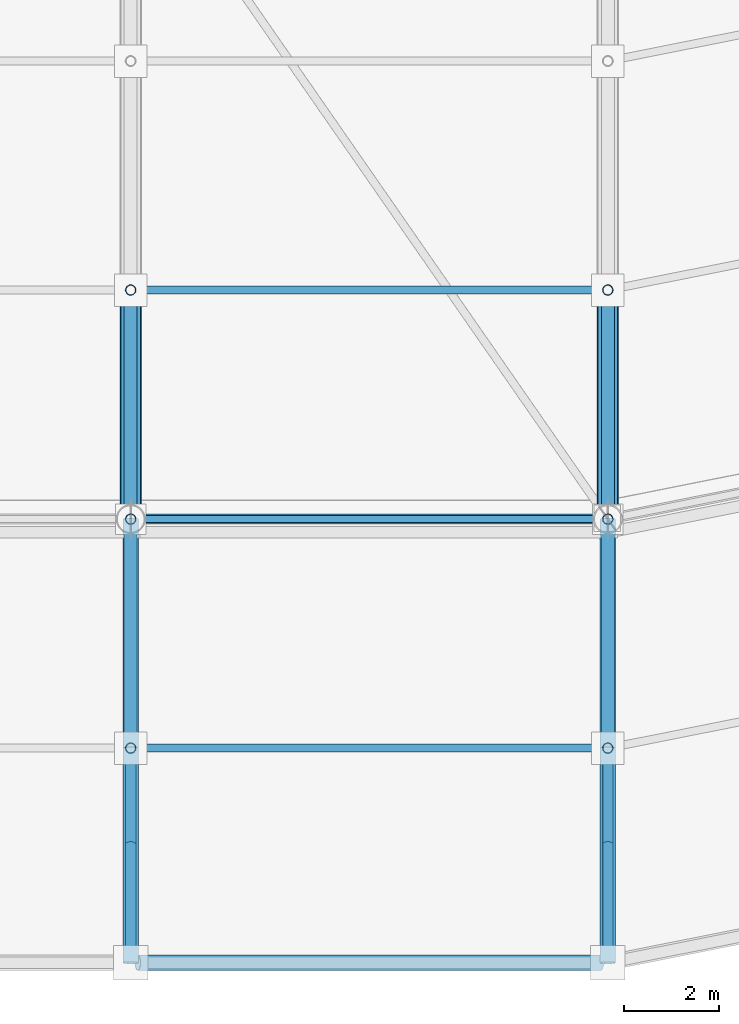
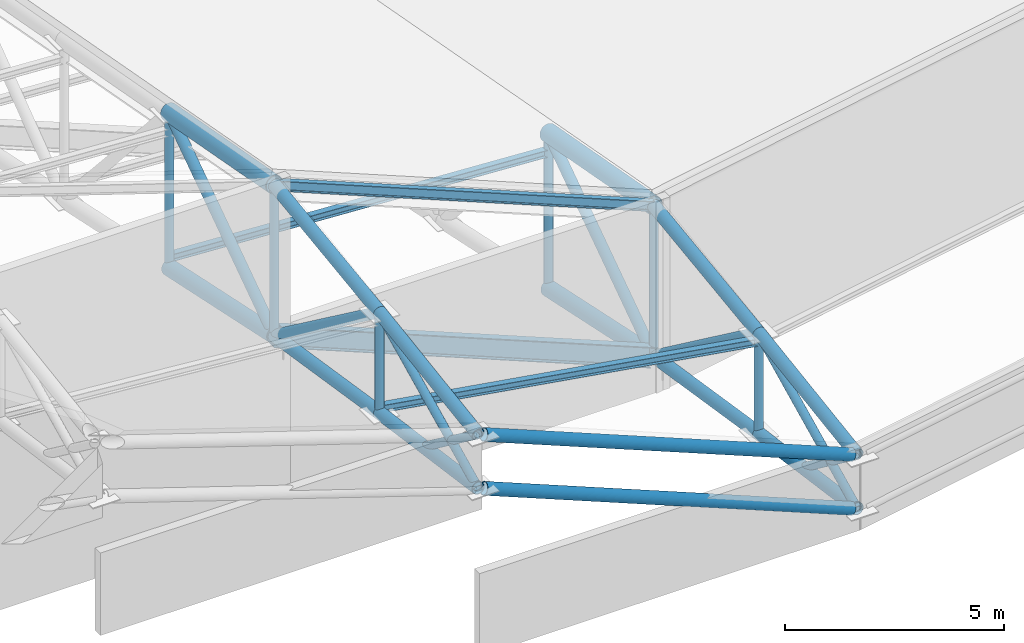
# One storey, part 59 of 146: 30 members, 2 beams.
"""IFC4 building model written with IfcOpenShell, lengths in metres."""

from ifc_helpers import new_model, si_unit, direction, frame, origin, origin_2d, place, context, subcontext, project, spatial, hollow_circle, i_section, extrude, material, material_profile, profile_set, type_object, element, save


model = new_model("IFC4")

# Units and contexts
model_context = context("Model", 3, precision=1e-05, world=origin(), true_north=direction((0.0, 1.0)))
body_context = subcontext(model_context, "Body", "Model", "MODEL_VIEW")
ifc_project = project(units=[si_unit("LENGTHUNIT", "METRE"), si_unit("AREAUNIT", "SQUARE_METRE"), si_unit("VOLUMEUNIT", "CUBIC_METRE"), si_unit("PLANEANGLEUNIT", "RADIAN"), si_unit("MASSUNIT", "GRAM", prefix="KILO")], contexts=[model_context])

# Site, building, storey
site_placement = place(None, origin())
site = spatial("IfcSite", under=ifc_project, at=site_placement, CompositionType="ELEMENT")
building_placement = place(site_placement, origin())
building = spatial("IfcBuilding", under=site, at=building_placement, Name="Candeia Ridge Stadium", CompositionType="ELEMENT")
storey_placement = place(building_placement, frame((0.0, 0.0, 31.800048828125)))
storey = spatial("IfcBuildingStorey", under=building, at=storey_placement, Name="RF", CompositionType="ELEMENT", Elevation=31.800048828125)

# Beams
ifc_material = material(Name="Steel ASTM A572 Grade 50", Category="steel")
ifc_material_profile_1 = material_profile(ifc_material, i_section(OverallWidth=0.14794921875, OverallDepth=0.26611328125, WebThickness=0.007568359375, FlangeThickness=0.012939453125, FilletRadius=0.010986328125, at=origin_2d()), Name="W250x44.8", Category="steel")
ifc_profile_set_1 = profile_set([ifc_material_profile_1], Name="Steel ASTM A572 Grade 50")
beam_type_1 = type_object("IfcBeamType", Name="Canopy Edge Spandrel W250x44.8", PredefinedType="SPANDREL", material=ifc_profile_set_1)
beam_1_placement = place(storey_placement, frame((131.037109375, 19.0, 8.663330078125), z_axis=(0.925945510704, 0.0, -0.377657134457), x_axis=(0.0, 1.0, 0.0)))
element("IfcBeam", 1, at=beam_1_placement, inside=storey, type_object=beam_type_1, Name="Roof crown cap ring beam bay 25", PredefinedType="SPANDREL", context=body_context, shape_type="SweptSolid", body=[
    extrude(i_section(OverallWidth=0.14794921875, OverallDepth=0.26611328125, WebThickness=0.007568359375, FlangeThickness=0.012939453125, FilletRadius=0.010986328125, at=origin_2d()), origin(), (0.0, 0.0, 1.0), 10.7197265625),
])
ifc_material_profile_2 = material_profile(ifc_material, i_section(OverallWidth=0.2119140625, OverallDepth=0.5439453125, WebThickness=0.01318359375, FlangeThickness=0.021240234375, FilletRadius=0.013916015625, at=origin_2d()), Name="W530x123", Category="steel")
ifc_profile_set_2 = profile_set([ifc_material_profile_2], Name="Steel ASTM A572 Grade 50")
beam_type_2 = type_object("IfcBeamType", Name="Roof Perimeter Ring Beam W530x123", PredefinedType="BEAM", material=ifc_profile_set_2)
beam_2_placement = place(storey_placement, frame((131.037109375, 19.0, 4.46337890625), z_axis=(0.925945510704, 0.0, -0.377657134457), x_axis=(0.0, 1.0, 0.0)))
element("IfcBeam", 2, at=beam_2_placement, inside=storey, type_object=beam_type_2, Name="Roof perimeter ring beam bay 25", PredefinedType="BEAM", context=body_context, shape_type="SweptSolid", body=[
    extrude(i_section(OverallWidth=0.2119140625, OverallDepth=0.5439453125, WebThickness=0.01318359375, FlangeThickness=0.021240234375, FilletRadius=0.013916015625, at=origin_2d()), origin(), (0.0, 0.0, 1.0), 10.7197265625),
])

# Members
ifc_material_profile_3 = material_profile(ifc_material, i_section(OverallWidth=0.1650390625, OverallDepth=0.200927734375, WebThickness=0.006103515625, FlangeThickness=0.01025390625, FilletRadius=0.010009765625, at=origin_2d()), Name="W200x35.9", Category="steel")
ifc_profile_set_3 = profile_set([ifc_material_profile_3], Name="Steel ASTM A572 Grade 50")
member_type_1 = type_object("IfcMemberType", Name="Roof Purlin W200x35.9", PredefinedType="PURLIN", material=ifc_profile_set_3)
member_1_placement = place(storey_placement, frame((131.0498046875, 23.800048828125, 3.749267578125), z_axis=(0.998435557369, 0.0, -0.055914557871), x_axis=(0.0, 1.0, 0.0)))
element("IfcMember", 3, at=member_1_placement, inside=storey, type_object=member_type_1, Name="Saddle roof steel purlin bay 25-4", PredefinedType="PURLIN", context=body_context, shape_type="SweptSolid", body=[
    extrude(i_section(OverallWidth=0.1650390625, OverallDepth=0.200927734375, WebThickness=0.006103515625, FlangeThickness=0.01025390625, FilletRadius=0.010009765625, at=origin_2d()), origin(), (0.0, 0.0, 1.0), 9.916015625),
])
member_2_placement = place(storey_placement, frame((131.04931640625, 14.199951171875, 5.3623046875), z_axis=(0.986942119653, 0.0, -0.161075300572), x_axis=(0.0, 1.0, 0.0)))
element("IfcMember", 4, at=member_2_placement, inside=storey, type_object=member_type_1, Name="Saddle roof steel purlin bay 25-5", PredefinedType="PURLIN", context=body_context, shape_type="SweptSolid", body=[
    extrude(i_section(OverallWidth=0.1650390625, OverallDepth=0.200927734375, WebThickness=0.006103515625, FlangeThickness=0.01025390625, FilletRadius=0.010009765625, at=origin_2d()), origin(), (0.0, 0.0, 1.0), 10.032470703125),
])
ifc_material_profile_4 = material_profile(ifc_material, hollow_circle(Radius=0.161865234375, WallThickness=0.012451171875, at=origin_2d()), Name="CHS323x12", Category="steel")
ifc_profile_set_4 = profile_set([ifc_material_profile_4], Name="Steel ASTM A572 Grade 50")
member_type_2 = type_object("IfcMemberType", Name="Roof Truss Eaves Chord CHS323x12", PredefinedType="CHORD", material=ifc_profile_set_4)
member_3_placement = place(storey_placement, frame((131.0, 19.0, 8.678466796875), z_axis=(0.0, -0.991184698971, -0.132487329683), x_axis=(1.0, 0.0, 0.0)))
element("IfcMember", 5, at=member_3_placement, inside=storey, type_object=member_type_2, Name="Roof cantilever truss RT-25 top chord 7", PredefinedType="CHORD", context=body_context, shape_type="SweptSolid", body=[
    extrude(hollow_circle(Radius=0.161865234375, WallThickness=0.012451171875, at=origin_2d()), origin(), (0.0, 0.0, 1.0), 4.8427734375),
])
member_4_placement = place(storey_placement, frame((131.0, 19.0, 4.478515625), z_axis=(0.0, -0.987950881294, 0.154767749066), x_axis=(1.0, 0.0, 0.0)))
element("IfcMember", 6, at=member_4_placement, inside=storey, type_object=member_type_2, Name="Roof cantilever truss RT-25 bottom chord 7", PredefinedType="CHORD", context=body_context, shape_type="SweptSolid", body=[
    extrude(hollow_circle(Radius=0.161865234375, WallThickness=0.012451171875, at=origin_2d()), origin(), (0.0, 0.0, 1.0), 4.858642578125),
])
member_5_placement = place(storey_placement, frame((131.0, 14.199951171875, 8.036865234375), z_axis=(0.0, -0.988855931513, -0.148875608179), x_axis=(1.0, 0.0, 0.0)))
element("IfcMember", 7, at=member_5_placement, inside=storey, type_object=member_type_2, Name="Roof cantilever truss RT-25 top chord 8", PredefinedType="CHORD", context=body_context, shape_type="SweptSolid", body=[
    extrude(hollow_circle(Radius=0.161865234375, WallThickness=0.012451171875, at=origin_2d()), origin(), (0.0, 0.0, 1.0), 4.55078125),
])
member_6_placement = place(storey_placement, frame((131.0, 14.199951171875, 5.23046875), z_axis=(0.0, -0.990374770959, 0.138411751844), x_axis=(1.0, 0.0, 0.0)))
element("IfcMember", 8, at=member_6_placement, inside=storey, type_object=member_type_2, Name="Roof cantilever truss RT-25 bottom chord 8", PredefinedType="CHORD", context=body_context, shape_type="SweptSolid", body=[
    extrude(hollow_circle(Radius=0.161865234375, WallThickness=0.012451171875, at=origin_2d()), origin(), (0.0, 0.0, 1.0), 4.543701171875),
])
for number, where, z_axis, x_axis, name in (
    (9, (131.148193359375, 9.699951171875, 7.299072265625), (0.925944259539, 0.0, -0.377660202068), (0.0, 1.0, 0.0), "Saddle roof outer eaves top ring chord bay 25"),
    (10, (131.148193359375, 9.699951171875, 5.799072265625), (0.925944259539, 0.0, -0.377660202068), (0.0, 1.0, 0.0), "Saddle roof outer eaves bottom ring chord bay 25"),
):
    element("IfcMember", number, at=place(storey_placement, frame(where, z_axis=z_axis, x_axis=x_axis)), inside=storey, type_object=member_type_2, Name=name, PredefinedType="CHORD", context=body_context, shape_type="SweptSolid", body=[
        extrude(hollow_circle(Radius=0.161865234375, WallThickness=0.012451171875, at=origin_2d()), origin(), (0.0, 0.0, 1.0), 10.479736328125),
    ])
member_7_placement = place(storey_placement, frame((141.0, 19.0, 4.599853515625), z_axis=(0.0, -0.991184698971, -0.132487329683), x_axis=(1.0, 0.0, 0.0)))
element("IfcMember", 11, at=member_7_placement, inside=storey, type_object=member_type_2, Name="Roof cantilever truss RT-26 top chord 7", PredefinedType="CHORD", context=body_context, shape_type="SweptSolid", body=[
    extrude(hollow_circle(Radius=0.161865234375, WallThickness=0.012451171875, at=origin_2d()), origin(), (0.0, 0.0, 1.0), 4.8427734375),
])
member_8_placement = place(storey_placement, frame((141.0, 19.0, 0.39990234375), z_axis=(0.0, -0.987950881294, 0.154767749066), x_axis=(1.0, 0.0, 0.0)))
element("IfcMember", 12, at=member_8_placement, inside=storey, type_object=member_type_2, Name="Roof cantilever truss RT-26 bottom chord 7", PredefinedType="CHORD", context=body_context, shape_type="SweptSolid", body=[
    extrude(hollow_circle(Radius=0.161865234375, WallThickness=0.012451171875, at=origin_2d()), origin(), (0.0, 0.0, 1.0), 4.858642578125),
])
member_9_placement = place(storey_placement, frame((141.0, 14.199951171875, 3.958251953125), z_axis=(0.0, -0.988863828185, -0.148823147753), x_axis=(1.0, 0.0, 0.0)))
element("IfcMember", 13, at=member_9_placement, inside=storey, type_object=member_type_2, Name="Roof cantilever truss RT-26 top chord 8", PredefinedType="CHORD", context=body_context, shape_type="SweptSolid", body=[
    extrude(hollow_circle(Radius=0.161865234375, WallThickness=0.012451171875, at=origin_2d()), origin(), (0.0, 0.0, 1.0), 4.55078125),
])
member_10_placement = place(storey_placement, frame((141.0, 14.199951171875, 1.15185546875), z_axis=(0.0, -0.990367404155, 0.138464453153), x_axis=(1.0, 0.0, 0.0)))
element("IfcMember", 14, at=member_10_placement, inside=storey, type_object=member_type_2, Name="Roof cantilever truss RT-26 bottom chord 8", PredefinedType="CHORD", context=body_context, shape_type="SweptSolid", body=[
    extrude(hollow_circle(Radius=0.161865234375, WallThickness=0.012451171875, at=origin_2d()), origin(), (0.0, 0.0, 1.0), 4.543701171875),
])
ifc_material_profile_5 = material_profile(ifc_material, hollow_circle(Radius=0.136474609375, WallThickness=0.010009765625, at=origin_2d()), Name="CHS273x10", Category="steel")
ifc_profile_set_5 = profile_set([ifc_material_profile_5], Name="Steel ASTM A572 Grade 50")
member_type_3 = type_object("IfcMemberType", Name="Roof Truss Heavy Web Brace CHS273x10", PredefinedType="BRACE", material=ifc_profile_set_5)
member_11_placement = place(storey_placement, frame((131.0, 23.800048828125, 7.79052734375), z_axis=(0.0, -0.823081876777, -0.567922727245), x_axis=(1.0, 0.0, 0.0)))
element("IfcMember", 15, at=member_11_placement, inside=storey, type_object=member_type_3, Name="Roof cantilever truss RT-25 diagonal web 6", PredefinedType="BRACE", context=body_context, shape_type="SweptSolid", body=[
    extrude(hollow_circle(Radius=0.136474609375, WallThickness=0.010009765625, at=origin_2d()), origin(), (0.0, 0.0, 1.0), 5.831787109375),
])
member_12_placement = place(storey_placement, frame((131.0, 19.0, 4.478515625), z_axis=(0.0, -0.803336374347, 0.595525540721), x_axis=(1.0, 0.0, 0.0)))
element("IfcMember", 16, at=member_12_placement, inside=storey, type_object=member_type_3, Name="Roof cantilever truss RT-25 diagonal web 7", PredefinedType="BRACE", context=body_context, shape_type="SweptSolid", body=[
    extrude(hollow_circle(Radius=0.136474609375, WallThickness=0.010009765625, at=origin_2d()), origin(), (0.0, 0.0, 1.0), 5.97509765625),
])
member_13_placement = place(storey_placement, frame((141.0, 23.800048828125, 3.7119140625), z_axis=(0.0, -0.823081876777, -0.567922727245), x_axis=(1.0, 0.0, 0.0)))
element("IfcMember", 17, at=member_13_placement, inside=storey, type_object=member_type_3, Name="Roof cantilever truss RT-26 diagonal web 6", PredefinedType="BRACE", context=body_context, shape_type="SweptSolid", body=[
    extrude(hollow_circle(Radius=0.136474609375, WallThickness=0.010009765625, at=origin_2d()), origin(), (0.0, 0.0, 1.0), 5.831787109375),
])
member_14_placement = place(storey_placement, frame((141.0, 19.0, 0.39990234375), z_axis=(0.0, -0.803336374347, 0.595525540721), x_axis=(1.0, 0.0, 0.0)))
element("IfcMember", 18, at=member_14_placement, inside=storey, type_object=member_type_3, Name="Roof cantilever truss RT-26 diagonal web 7", PredefinedType="BRACE", context=body_context, shape_type="SweptSolid", body=[
    extrude(hollow_circle(Radius=0.136474609375, WallThickness=0.010009765625, at=origin_2d()), origin(), (0.0, 0.0, 1.0), 5.97509765625),
])
ifc_material_profile_6 = material_profile(ifc_material, hollow_circle(Radius=0.109619140625, WallThickness=0.010009765625, at=origin_2d()), Name="CHS219x10", Category="steel")
ifc_profile_set_6 = profile_set([ifc_material_profile_6], Name="Steel ASTM A572 Grade 50")
member_type_4 = type_object("IfcMemberType", Name="Roof Truss Inner Web Brace CHS219x10", PredefinedType="BRACE", material=ifc_profile_set_6)
member_15_placement = place(storey_placement, frame((131.0, 14.199951171875, 8.036865234375), z_axis=(0.0, -0.900153692386, -0.435572416579), x_axis=(1.0, 0.0, 0.0)))
element("IfcMember", 19, at=member_15_placement, inside=storey, type_object=member_type_4, Name="Roof cantilever truss RT-25 diagonal web 8", PredefinedType="BRACE", context=body_context, shape_type="SweptSolid", body=[
    extrude(hollow_circle(Radius=0.109619140625, WallThickness=0.010009765625, at=origin_2d()), origin(), (0.0, 0.0, 1.0), 4.999267578125),
])
member_16_placement = place(storey_placement, frame((131.0, 23.800048828125, 3.45703125), z_axis=(0.0, 0.0, 1.0), x_axis=(1.0, 0.0, 0.0)))
element("IfcMember", 20, at=member_16_placement, inside=storey, type_object=member_type_4, Name="Roof cantilever truss RT-25 vertical post 5", PredefinedType="BRACE", context=body_context, shape_type="SweptSolid", body=[
    extrude(hollow_circle(Radius=0.109619140625, WallThickness=0.010009765625, at=origin_2d()), origin(), (0.0, 0.0, 1.0), 4.33349609375),
])
member_17_placement = place(storey_placement, frame((131.0, 19.0, 4.478515625), z_axis=(0.0, 0.0, 1.0), x_axis=(1.0, 0.0, 0.0)))
element("IfcMember", 21, at=member_17_placement, inside=storey, type_object=member_type_4, Name="Roof cantilever truss RT-25 vertical post 6", PredefinedType="BRACE", context=body_context, shape_type="SweptSolid", body=[
    extrude(hollow_circle(Radius=0.109619140625, WallThickness=0.010009765625, at=origin_2d()), origin(), (0.0, 0.0, 1.0), 4.199951171875),
])
member_18_placement = place(storey_placement, frame((131.0, 14.199951171875, 5.23046875), z_axis=(0.0, 0.0, 1.0), x_axis=(1.0, 0.0, 0.0)))
element("IfcMember", 22, at=member_18_placement, inside=storey, type_object=member_type_4, Name="Roof cantilever truss RT-25 vertical post 7", PredefinedType="BRACE", context=body_context, shape_type="SweptSolid", body=[
    extrude(hollow_circle(Radius=0.109619140625, WallThickness=0.010009765625, at=origin_2d()), origin(), (0.0, 0.0, 1.0), 2.806396484375),
])
member_19_placement = place(storey_placement, frame((131.0, 12.175048828125, 5.513427734375), z_axis=(0.0, -0.80161013398, 0.597847131883), x_axis=(1.0, 0.0, 0.0)))
element("IfcMember", 23, at=member_19_placement, inside=storey, type_object=member_type_4, Name="Roof cantilever truss RT-25 vertical post 8", PredefinedType="BRACE", context=body_context, shape_type="SweptSolid", body=[
    extrude(hollow_circle(Radius=0.109619140625, WallThickness=0.010009765625, at=origin_2d()), origin(), (0.0, 0.0, 1.0), 3.087646484375),
])
member_20_placement = place(storey_placement, frame((141.0, 14.199951171875, 3.958251953125), z_axis=(0.0, -0.900172839827, -0.43553284427), x_axis=(1.0, 0.0, 0.0)))
element("IfcMember", 24, at=member_20_placement, inside=storey, type_object=member_type_4, Name="Roof cantilever truss RT-26 diagonal web 8", PredefinedType="BRACE", context=body_context, shape_type="SweptSolid", body=[
    extrude(hollow_circle(Radius=0.109619140625, WallThickness=0.010009765625, at=origin_2d()), origin(), (0.0, 0.0, 1.0), 4.9990234375),
])
member_21_placement = place(storey_placement, frame((141.0, 23.800048828125, -0.621337890625), z_axis=(0.0, 0.0, 1.0), x_axis=(1.0, 0.0, 0.0)))
element("IfcMember", 25, at=member_21_placement, inside=storey, type_object=member_type_4, Name="Roof cantilever truss RT-26 vertical post 5", PredefinedType="BRACE", context=body_context, shape_type="SweptSolid", body=[
    extrude(hollow_circle(Radius=0.109619140625, WallThickness=0.010009765625, at=origin_2d()), origin(), (0.0, 0.0, 1.0), 4.333251953125),
])
member_22_placement = place(storey_placement, frame((141.0, 19.0, 0.39990234375), z_axis=(0.0, 0.0, 1.0), x_axis=(1.0, 0.0, 0.0)))
element("IfcMember", 26, at=member_22_placement, inside=storey, type_object=member_type_4, Name="Roof cantilever truss RT-26 vertical post 6", PredefinedType="BRACE", context=body_context, shape_type="SweptSolid", body=[
    extrude(hollow_circle(Radius=0.109619140625, WallThickness=0.010009765625, at=origin_2d()), origin(), (0.0, 0.0, 1.0), 4.199951171875),
])
member_23_placement = place(storey_placement, frame((141.0, 14.199951171875, 1.15185546875), z_axis=(0.0, 0.0, 1.0), x_axis=(1.0, 0.0, 0.0)))
element("IfcMember", 27, at=member_23_placement, inside=storey, type_object=member_type_4, Name="Roof cantilever truss RT-26 vertical post 7", PredefinedType="BRACE", context=body_context, shape_type="SweptSolid", body=[
    extrude(hollow_circle(Radius=0.109619140625, WallThickness=0.010009765625, at=origin_2d()), origin(), (0.0, 0.0, 1.0), 2.806396484375),
])
member_24_placement = place(storey_placement, frame((141.0, 12.175048828125, 1.43505859375), z_axis=(0.0, -0.80161013398, 0.597847131883), x_axis=(1.0, 0.0, 0.0)))
element("IfcMember", 28, at=member_24_placement, inside=storey, type_object=member_type_4, Name="Roof cantilever truss RT-26 vertical post 8", PredefinedType="BRACE", context=body_context, shape_type="SweptSolid", body=[
    extrude(hollow_circle(Radius=0.109619140625, WallThickness=0.010009765625, at=origin_2d()), origin(), (0.0, 0.0, 1.0), 3.087646484375),
])
ifc_material_profile_7 = material_profile(ifc_material, hollow_circle(Radius=0.228515625, WallThickness=0.02001953125, at=origin_2d()), Name="CHS457x20", Category="steel")
ifc_profile_set_7 = profile_set([ifc_material_profile_7], Name="Steel ASTM A572 Grade 50")
member_type_5 = type_object("IfcMemberType", Name="Roof Truss Main Chord CHS457x20", PredefinedType="CHORD", material=ifc_profile_set_7)
for number, where, z_axis, x_axis, name in (
    (29, (131.0, 23.800048828125, 7.79052734375), (0.0, -0.983317142098, 0.181899417416), (1.0, 0.0, 0.0), "Roof cantilever truss RT-25 top chord 6"),
    (30, (141.0, 23.800048828125, 3.7119140625), (0.0, -0.983317142098, 0.181899417416), (1.0, 0.0, 0.0), "Roof cantilever truss RT-26 top chord 6"),
):
    element("IfcMember", number, at=place(storey_placement, frame(where, z_axis=z_axis, x_axis=x_axis)), inside=storey, type_object=member_type_5, Name=name, PredefinedType="CHORD", context=body_context, shape_type="SweptSolid", body=[
        extrude(hollow_circle(Radius=0.228515625, WallThickness=0.02001953125, at=origin_2d()), origin(), (0.0, 0.0, 1.0), 4.881591796875),
    ])
ifc_material_profile_8 = material_profile(ifc_material, hollow_circle(Radius=0.202880859375, WallThickness=0.01611328125, at=origin_2d()), Name="CHS406x16", Category="steel")
ifc_profile_set_8 = profile_set([ifc_material_profile_8], Name="Steel ASTM A572 Grade 50")
member_type_6 = type_object("IfcMemberType", Name="Roof Truss Outer Chord CHS406x16", PredefinedType="CHORD", material=ifc_profile_set_8)
for number, where, z_axis, x_axis, name in (
    (31, (131.0, 23.800048828125, 3.45703125), (0.0, -0.978097741011, 0.208146124225), (1.0, 0.0, 0.0), "Roof cantilever truss RT-25 bottom chord 6"),
    (32, (141.0, 23.800048828125, -0.621337890625), (0.0, -0.97810786804, 0.208098530696), (1.0, 0.0, 0.0), "Roof cantilever truss RT-26 bottom chord 6"),
):
    element("IfcMember", number, at=place(storey_placement, frame(where, z_axis=z_axis, x_axis=x_axis)), inside=storey, type_object=member_type_6, Name=name, PredefinedType="CHORD", context=body_context, shape_type="SweptSolid", body=[
        extrude(hollow_circle(Radius=0.202880859375, WallThickness=0.01611328125, at=origin_2d()), origin(), (0.0, 0.0, 1.0), 4.907470703125),
    ])

save(model, "model.ifc")
